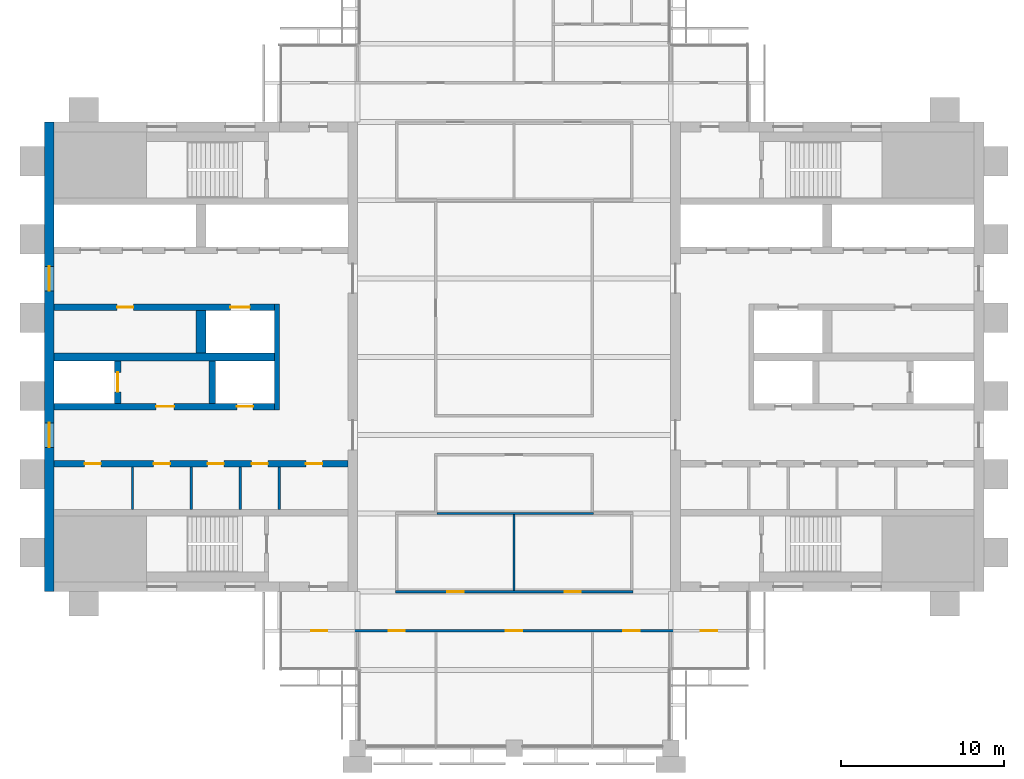
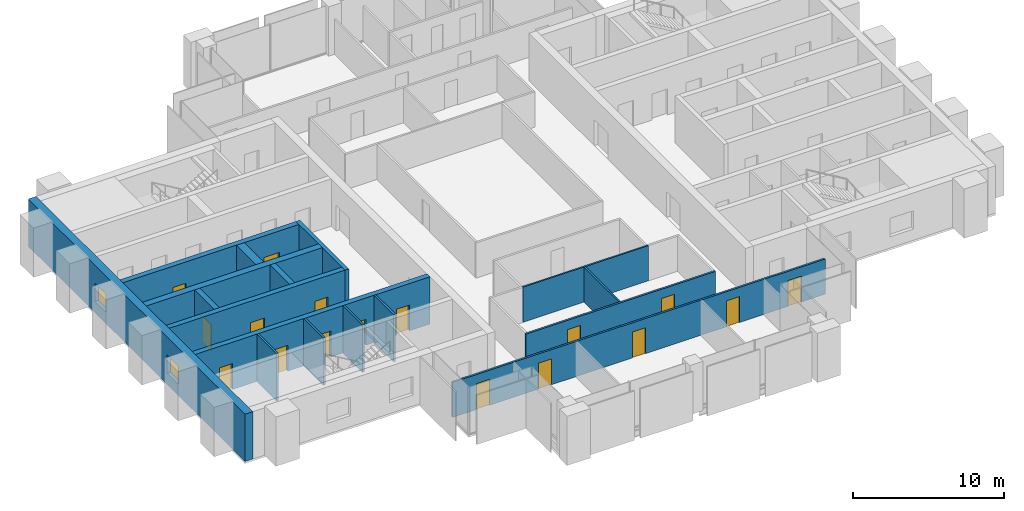
# One storey, part 8 of 13: 17 doors, 17 walls, 2 windows, 19 openings.
"""IFC4 building model written with IfcOpenShell, lengths in metres."""

from ifc_helpers import new_model, si_unit, direction, frame, frame_2d, origin, place, context, subcontext, project, spatial, rectangle, extrude, material, layer, layer_set, type_object, element, fill, save


model = new_model("IFC4")

# Units and contexts
model_context = context("Model", 3, precision=1e-05, world=origin(), true_north=direction((0.0, 1.0)))
body_context = subcontext(model_context, "Body", "Model", "MODEL_VIEW")
ifc_project = project(units=[si_unit("LENGTHUNIT", "METRE"), si_unit("AREAUNIT", "SQUARE_METRE"), si_unit("VOLUMEUNIT", "CUBIC_METRE"), si_unit("PLANEANGLEUNIT", "RADIAN"), si_unit("MASSUNIT", "GRAM", prefix="KILO")], contexts=[model_context])

# Site, building, storey
site_placement = place(None, origin())
site = spatial("IfcSite", under=ifc_project, at=site_placement, CompositionType="ELEMENT")
building_placement = place(site_placement, origin())
building = spatial("IfcBuilding", under=site, at=building_placement, Name="Baori Bourse Tower", CompositionType="ELEMENT")
storey_placement = place(building_placement, frame((0.0, 0.0, 334.300048828125)))
storey = spatial("IfcBuildingStorey", under=building, at=storey_placement, Name="L74", CompositionType="ELEMENT", Elevation=334.300048828125)

# Walls
ifc_material_1 = material(Name="Blockwork partition", Category="masonry")
ifc_layer_1 = layer(ifc_material_1, 0.14990234375)
ifc_layer_set_1 = layer_set([ifc_layer_1], Name="Core partition 150")
wall_type_1 = type_object("IfcWallType", Name="Core partition 150", PredefinedType="PARTITIONING", material=ifc_layer_set_1)
for number, where, z_axis, x_axis, name in (
    (1, (5.39990234375, 14.64990234375, 0.0), (0.0, 0.0, 1.0), (0.0, 1.0, 0.0), "Partition wall W09"),
    (2, (9.0, 14.64990234375, 0.0), (0.0, 0.0, 1.0), (0.0, 1.0, 0.0), "Partition wall W10"),
    (3, (12.0, 14.64990234375, 0.0), (0.0, 0.0, 1.0), (0.0, 1.0, 0.0), "Partition wall W11"),
    (4, (14.39990234375, 14.64990234375, 0.0), (0.0, 0.0, 1.0), (0.0, 1.0, 0.0), "Partition wall W12"),
):
    element("IfcWall", number, at=place(storey_placement, frame(where, z_axis=z_axis, x_axis=x_axis)), inside=storey, type_object=wall_type_1, Name=name, PredefinedType="PARTITIONING", context=body_context, shape_type="SweptSolid", body=[
        extrude(rectangle(XDim=2.60009765625, YDim=0.14990234375, at=frame_2d((1.300048828125, 0.0))), origin(), (0.0, 0.0, 1.0), 3.83984375),
    ])

# Wall, openings, windows
ifc_material_2 = material(Name="Concrete f'c 40 MPa", Category="concrete")
ifc_layer_2 = layer(ifc_material_2, 0.60009765625)
ifc_layer_set_2 = layer_set([ifc_layer_2], Name="Core wall 600 f'c 40")
wall_type_2 = type_object("IfcWallType", Name="Core wall 600 f'c 40", PredefinedType="SHEAR", material=ifc_layer_set_2)
wall_1_placement = place(storey_placement, frame((0.300048828125, 9.60009765625, 0.0), z_axis=(0.0, 0.0, 1.0), x_axis=(0.0, 1.0, 0.0)))
wall_1 = element("IfcWall", 5, at=wall_1_placement, inside=storey, type_object=wall_type_2, Name="Core wall W01", PredefinedType="SHEAR", context=body_context, shape_type="SweptSolid", body=[
    extrude(rectangle(XDim=28.7998046875, YDim=0.60009765625, at=frame_2d((14.39990234375, 0.0))), origin(), (0.0, 0.0, 1.0), 3.83984375),
])
opening_1_placement = place(wall_1_placement, frame((8.85009765625, 0.0, 0.89990234375)))
opening_1 = element("IfcOpeningElement", 6, at=opening_1_placement, cuts=wall_1, Name="Opening L74-KW101", PredefinedType="OPENING", context=body_context, shape_type="SweptSolid", body=[
    extrude(rectangle(XDim=1.5, YDim=1.5, at=frame_2d((0.75, 0.75))), frame((0.0, 0.31005859375, 0.0), z_axis=(0.0, -1.0, 0.0), x_axis=(1.0, 0.0, 0.0)), (0.0, 0.0, 1.0), 0.6201171875),
])
opening_2_placement = place(wall_1_placement, frame((18.449951171875, 0.0, 0.89990234375)))
opening_2 = element("IfcOpeningElement", 7, at=opening_2_placement, cuts=wall_1, Name="Opening L74-KW102", PredefinedType="OPENING", context=body_context, shape_type="SweptSolid", body=[
    extrude(rectangle(XDim=1.5, YDim=1.5, at=frame_2d((0.75, 0.75))), frame((0.0, 0.31005859375, 0.0), z_axis=(0.0, -1.0, 0.0), x_axis=(1.0, 0.0, 0.0)), (0.0, 0.0, 1.0), 0.6201171875),
])
ifc_material_3 = material(Name="Pale anodised aluminium", Category="aluminium")
window_type = type_object("IfcWindowType", Name="Lobby window 1500 x 1500", PartitioningType="SINGLE_PANEL", PredefinedType="WINDOW", material=ifc_material_3)
window_1_placement = place(opening_1_placement, origin())
window_1 = element("IfcWindow", 8, at=window_1_placement, inside=storey, type_object=window_type, Name="Outer wall window W L74 1", OverallHeight=1.5, OverallWidth=1.5, PartitioningType="SINGLE_PANEL", PredefinedType="WINDOW", context=body_context, shape_type="SweptSolid", body=[
    extrude(rectangle(XDim=1.5, YDim=1.5, at=frame_2d((0.75, 0.75))), frame((0.0, 0.030029296875, 0.0), z_axis=(0.0, -1.0, 0.0), x_axis=(1.0, 0.0, 0.0)), (0.0, 0.0, 1.0), 0.06005859375),
])
fill(opening_1, window_1)
window_2_placement = place(opening_2_placement, origin())
window_2 = element("IfcWindow", 9, at=window_2_placement, inside=storey, type_object=window_type, Name="Outer wall window W L74 2", OverallHeight=1.5, OverallWidth=1.5, PartitioningType="SINGLE_PANEL", PredefinedType="WINDOW", context=body_context, shape_type="SweptSolid", body=[
    extrude(rectangle(XDim=1.5, YDim=1.5, at=frame_2d((0.75, 0.75))), frame((0.0, 0.030029296875, 0.0), z_axis=(0.0, -1.0, 0.0), x_axis=(1.0, 0.0, 0.0)), (0.0, 0.0, 1.0), 0.06005859375),
])
fill(opening_2, window_2)

# Wall, openings, doors
ifc_material_4 = material(Name="Gypsum board partition")
ifc_layer_3 = layer(ifc_material_4, 0.14990234375)
ifc_layer_set_3 = layer_set([ifc_layer_3], Name="Corridor partition 150")
wall_type_3 = type_object("IfcWallType", Name="Corridor partition 150", PredefinedType="PARTITIONING", material=ifc_layer_set_3)
wall_2_placement = place(storey_placement, frame((14.5, 7.199951171875, 0.0), z_axis=(0.0, 0.0, 1.0), x_axis=(1.0, 0.0, 0.0)))
wall_2 = element("IfcWall", 10, at=wall_2_placement, inside=storey, type_object=wall_type_3, Name="Partition", PredefinedType="PARTITIONING", context=body_context, shape_type="SweptSolid", body=[
    extrude(rectangle(XDim=28.60009765625, YDim=0.14990234375, at=frame_2d((14.300048828125, 0.0))), origin(), (0.0, 0.0, 1.0), 2.849365234375),
])
opening_3_placement = place(wall_2_placement, frame((1.85009765625, 0.0, 0.0)))
opening_3 = element("IfcOpeningElement", 11, at=opening_3_placement, cuts=wall_2, Name="Opening L74-D01", PredefinedType="OPENING", context=body_context, shape_type="SweptSolid", body=[
    extrude(rectangle(XDim=1.0, YDim=2.10009765625, at=frame_2d((0.5, 1.050048828125))), frame((0.0, 0.0849609375, 0.0), z_axis=(0.0, -1.0, 0.0), x_axis=(1.0, 0.0, 0.0)), (0.0, 0.0, 1.0), 0.169921875),
])
opening_4_placement = place(wall_2_placement, frame((6.60009765625, 0.0, 0.0)))
opening_4 = element("IfcOpeningElement", 12, at=opening_4_placement, cuts=wall_2, Name="Opening L74-D02", PredefinedType="OPENING", context=body_context, shape_type="SweptSolid", body=[
    extrude(rectangle(XDim=1.0, YDim=2.10009765625, at=frame_2d((0.5, 1.050048828125))), frame((0.0, 0.0849609375, 0.0), z_axis=(0.0, -1.0, 0.0), x_axis=(1.0, 0.0, 0.0)), (0.0, 0.0, 1.0), 0.169921875),
])
opening_5_placement = place(wall_2_placement, frame((13.800048828125, 0.0, 0.0)))
opening_5 = element("IfcOpeningElement", 13, at=opening_5_placement, cuts=wall_2, Name="Opening L74-D03", PredefinedType="OPENING", context=body_context, shape_type="SweptSolid", body=[
    extrude(rectangle(XDim=1.0, YDim=2.10009765625, at=frame_2d((0.5, 1.050048828125))), frame((0.0, 0.0849609375, 0.0), z_axis=(0.0, -1.0, 0.0), x_axis=(1.0, 0.0, 0.0)), (0.0, 0.0, 1.0), 0.169921875),
])
opening_6_placement = place(wall_2_placement, frame((21.0, 0.0, 0.0)))
opening_6 = element("IfcOpeningElement", 14, at=opening_6_placement, cuts=wall_2, Name="Opening L74-D04", PredefinedType="OPENING", context=body_context, shape_type="SweptSolid", body=[
    extrude(rectangle(XDim=1.0, YDim=2.10009765625, at=frame_2d((0.5, 1.050048828125))), frame((0.0, 0.0849609375, 0.0), z_axis=(0.0, -1.0, 0.0), x_axis=(1.0, 0.0, 0.0)), (0.0, 0.0, 1.0), 0.169921875),
])
opening_7_placement = place(wall_2_placement, frame((25.75, 0.0, 0.0)))
opening_7 = element("IfcOpeningElement", 15, at=opening_7_placement, cuts=wall_2, Name="Opening L74-D05", PredefinedType="OPENING", context=body_context, shape_type="SweptSolid", body=[
    extrude(rectangle(XDim=1.0, YDim=2.10009765625, at=frame_2d((0.5, 1.050048828125))), frame((0.0, 0.0849609375, 0.0), z_axis=(0.0, -1.0, 0.0), x_axis=(1.0, 0.0, 0.0)), (0.0, 0.0, 1.0), 0.169921875),
])
ifc_material_5 = material(Name="Timber door leaf", Category="wood")
door_type_1 = type_object("IfcDoorType", Name="Door 1000 x 2100", OperationType="SINGLE_SWING_LEFT", PredefinedType="DOOR", material=ifc_material_5)
door_1_placement = place(opening_3_placement, origin())
door_1 = element("IfcDoor", 16, at=door_1_placement, inside=storey, type_object=door_type_1, Name="Door", OperationType="SINGLE_SWING_LEFT", OverallHeight=2.10009765625, OverallWidth=1.0, PredefinedType="DOOR", context=body_context, shape_type="SweptSolid", body=[
    extrude(rectangle(XDim=1.0, YDim=2.10009765625, at=frame_2d((0.5, 1.050048828125))), frame((0.0, 0.02490234375, 0.0), z_axis=(0.0, -1.0, 0.0), x_axis=(1.0, 0.0, 0.0)), (0.0, 0.0, 1.0), 0.050048828125),
])
fill(opening_3, door_1)
door_2_placement = place(opening_4_placement, origin())
door_2 = element("IfcDoor", 17, at=door_2_placement, inside=storey, type_object=door_type_1, Name="Door", OperationType="SINGLE_SWING_LEFT", OverallHeight=2.10009765625, OverallWidth=1.0, PredefinedType="DOOR", context=body_context, shape_type="SweptSolid", body=[
    extrude(rectangle(XDim=1.0, YDim=2.10009765625, at=frame_2d((0.5, 1.050048828125))), frame((0.0, 0.02490234375, 0.0), z_axis=(0.0, -1.0, 0.0), x_axis=(1.0, 0.0, 0.0)), (0.0, 0.0, 1.0), 0.050048828125),
])
fill(opening_4, door_2)
door_3_placement = place(opening_5_placement, origin())
door_3 = element("IfcDoor", 18, at=door_3_placement, inside=storey, type_object=door_type_1, Name="Door", OperationType="SINGLE_SWING_LEFT", OverallHeight=2.10009765625, OverallWidth=1.0, PredefinedType="DOOR", context=body_context, shape_type="SweptSolid", body=[
    extrude(rectangle(XDim=1.0, YDim=2.10009765625, at=frame_2d((0.5, 1.050048828125))), frame((0.0, 0.02490234375, 0.0), z_axis=(0.0, -1.0, 0.0), x_axis=(1.0, 0.0, 0.0)), (0.0, 0.0, 1.0), 0.050048828125),
])
fill(opening_5, door_3)
door_4_placement = place(opening_6_placement, origin())
door_4 = element("IfcDoor", 19, at=door_4_placement, inside=storey, type_object=door_type_1, Name="Door", OperationType="SINGLE_SWING_RIGHT", OverallHeight=2.10009765625, OverallWidth=1.0, PredefinedType="DOOR", context=body_context, shape_type="SweptSolid", body=[
    extrude(rectangle(XDim=1.0, YDim=2.10009765625, at=frame_2d((0.5, 1.050048828125))), frame((0.0, 0.02490234375, 0.0), z_axis=(0.0, -1.0, 0.0), x_axis=(1.0, 0.0, 0.0)), (0.0, 0.0, 1.0), 0.050048828125),
])
fill(opening_6, door_4)
door_5_placement = place(opening_7_placement, origin())
door_5 = element("IfcDoor", 20, at=door_5_placement, inside=storey, type_object=door_type_1, Name="Door", OperationType="SINGLE_SWING_RIGHT", OverallHeight=2.10009765625, OverallWidth=1.0, PredefinedType="DOOR", context=body_context, shape_type="SweptSolid", body=[
    extrude(rectangle(XDim=1.0, YDim=2.10009765625, at=frame_2d((0.5, 1.050048828125))), frame((0.0, 0.02490234375, 0.0), z_axis=(0.0, -1.0, 0.0), x_axis=(1.0, 0.0, 0.0)), (0.0, 0.0, 1.0), 0.050048828125),
])
fill(opening_7, door_5)

wall_3_placement = place(storey_placement, frame((21.52490234375, 9.60009765625, 0.0), z_axis=(0.0, 0.0, 1.0), x_axis=(1.0, 0.0, 0.0)))
wall_3 = element("IfcWall", 21, at=wall_3_placement, inside=storey, type_object=wall_type_3, Name="Partition", PredefinedType="PARTITIONING", context=body_context, shape_type="SweptSolid", body=[
    extrude(rectangle(XDim=14.550048828125, YDim=0.14990234375, at=frame_2d((7.27490234375, 0.0))), origin(), (0.0, 0.0, 1.0), 2.849365234375),
])
opening_8_placement = place(wall_3_placement, frame((3.175048828125, 0.0, 0.0)))
opening_8 = element("IfcOpeningElement", 22, at=opening_8_placement, cuts=wall_3, Name="Opening L74-D06", PredefinedType="OPENING", context=body_context, shape_type="SweptSolid", body=[
    extrude(rectangle(XDim=1.0, YDim=2.10009765625, at=frame_2d((0.5, 1.050048828125))), frame((0.0, 0.0849609375, 0.0), z_axis=(0.0, -1.0, 0.0), x_axis=(1.0, 0.0, 0.0)), (0.0, 0.0, 1.0), 0.169921875),
])
opening_9_placement = place(wall_3_placement, frame((10.375, 0.0, 0.0)))
opening_9 = element("IfcOpeningElement", 23, at=opening_9_placement, cuts=wall_3, Name="Opening L74-D07", PredefinedType="OPENING", context=body_context, shape_type="SweptSolid", body=[
    extrude(rectangle(XDim=1.0, YDim=2.10009765625, at=frame_2d((0.5, 1.050048828125))), frame((0.0, 0.0849609375, 0.0), z_axis=(0.0, -1.0, 0.0), x_axis=(1.0, 0.0, 0.0)), (0.0, 0.0, 1.0), 0.169921875),
])
door_6_placement = place(opening_8_placement, origin())
door_6 = element("IfcDoor", 24, at=door_6_placement, inside=storey, type_object=door_type_1, Name="Door", OperationType="SINGLE_SWING_RIGHT", OverallHeight=2.10009765625, OverallWidth=1.0, PredefinedType="DOOR", context=body_context, shape_type="SweptSolid", body=[
    extrude(rectangle(XDim=1.0, YDim=2.10009765625, at=frame_2d((0.5, 1.050048828125))), frame((0.0, 0.02490234375, 0.0), z_axis=(0.0, -1.0, 0.0), x_axis=(1.0, 0.0, 0.0)), (0.0, 0.0, 1.0), 0.050048828125),
])
fill(opening_8, door_6)
door_7_placement = place(opening_9_placement, origin())
door_7 = element("IfcDoor", 25, at=door_7_placement, inside=storey, type_object=door_type_1, Name="Door", OperationType="SINGLE_SWING_LEFT", OverallHeight=2.10009765625, OverallWidth=1.0, PredefinedType="DOOR", context=body_context, shape_type="SweptSolid", body=[
    extrude(rectangle(XDim=1.0, YDim=2.10009765625, at=frame_2d((0.5, 1.050048828125))), frame((0.0, 0.02490234375, 0.0), z_axis=(0.0, -1.0, 0.0), x_axis=(1.0, 0.0, 0.0)), (0.0, 0.0, 1.0), 0.050048828125),
])
fill(opening_9, door_7)

# Walls
ifc_material_6 = material(Name="Gypsum board partition")
ifc_layer_4 = layer(ifc_material_6, 0.125)
ifc_layer_set_4 = layer_set([ifc_layer_4], Name="Partition 125")
wall_type_4 = type_object("IfcWallType", Name="Partition 125", PredefinedType="PARTITIONING", material=ifc_layer_set_4)
wall_4_placement = place(storey_placement, frame((24.074951171875, 14.39990234375, 0.0), z_axis=(0.0, 0.0, 1.0), x_axis=(1.0, 0.0, 0.0)))
element("IfcWall", 26, at=wall_4_placement, inside=storey, type_object=wall_type_4, Name="Partition", PredefinedType="PARTITIONING", context=body_context, shape_type="SweptSolid", body=[
    extrude(rectangle(XDim=9.60009765625, YDim=0.125, at=frame_2d((4.800048828125, 0.0))), origin(), (0.0, 0.0, 1.0), 2.849365234375),
])
wall_5_placement = place(storey_placement, frame((28.800048828125, 9.675048828125, 0.0), z_axis=(0.0, 0.0, 1.0), x_axis=(0.0, 1.0, 0.0)))
element("IfcWall", 27, at=wall_5_placement, inside=storey, type_object=wall_type_4, Name="Partition", PredefinedType="PARTITIONING", context=body_context, shape_type="SweptSolid", body=[
    extrude(rectangle(XDim=4.662353515625, YDim=0.125, at=frame_2d((2.3310546875, 0.0))), origin(), (0.0, 0.0, 1.0), 2.849365234375),
])
ifc_material_7 = material(Name="Concrete f'c 40 MPa", Category="concrete")
ifc_layer_5 = layer(ifc_material_7, 0.300048828125)
ifc_layer_set_5 = layer_set([ifc_layer_5], Name="Shaft wall 300 f'c 40")
wall_type_5 = type_object("IfcWallType", Name="Shaft wall 300 f'c 40", PredefinedType="SHEAR", material=ifc_layer_set_5)
wall_6_placement = place(storey_placement, frame((14.25, 20.75, 0.0), z_axis=(0.0, 0.0, 1.0), x_axis=(0.0, 1.0, 0.0)))
element("IfcWall", 28, at=wall_6_placement, inside=storey, type_object=wall_type_5, Name="Core wall W15", PredefinedType="SHEAR", context=body_context, shape_type="SweptSolid", body=[
    extrude(rectangle(XDim=6.5, YDim=0.300048828125, at=frame_2d((3.25, 0.0))), origin(), (0.0, 0.0, 1.0), 3.83984375),
])

# Wall, openings, doors
ifc_material_8 = material(Name="Concrete f'c 40 MPa", Category="concrete")
ifc_layer_6 = layer(ifc_material_8, 0.39990234375)
ifc_layer_set_6 = layer_set([ifc_layer_6], Name="Shaft wall 400 f'c 40")
wall_type_6 = type_object("IfcWallType", Name="Shaft wall 400 f'c 40", PredefinedType="SHEAR", material=ifc_layer_set_6)
wall_7_placement = place(storey_placement, frame((0.60009765625, 17.449951171875, 0.0), z_axis=(0.0, 0.0, 1.0), x_axis=(1.0, 0.0, 0.0)))
wall_7 = element("IfcWall", 29, at=wall_7_placement, inside=storey, type_object=wall_type_6, Name="Core wall W13", PredefinedType="SHEAR", context=body_context, shape_type="SweptSolid", body=[
    extrude(rectangle(XDim=18.0, YDim=0.39990234375, at=frame_2d((9.0, 0.0))), origin(), (0.0, 0.0, 1.0), 3.83984375),
])
opening_10_placement = place(wall_7_placement, frame((1.862548828125, 0.0, 0.0)))
opening_10 = element("IfcOpeningElement", 30, at=opening_10_placement, cuts=wall_7, Name="Opening L74-D109", PredefinedType="OPENING", context=body_context, shape_type="SweptSolid", body=[
    extrude(rectangle(XDim=1.0, YDim=2.10009765625, at=frame_2d((0.5, 1.050048828125))), frame((0.0, 0.2099609375, 0.0), z_axis=(0.0, -1.0, 0.0), x_axis=(1.0, 0.0, 0.0)), (0.0, 0.0, 1.0), 0.419921875),
])
opening_11_placement = place(wall_7_placement, frame((6.10009765625, 0.0, 0.0)))
opening_11 = element("IfcOpeningElement", 31, at=opening_11_placement, cuts=wall_7, Name="Opening L74-D110", PredefinedType="OPENING", context=body_context, shape_type="SweptSolid", body=[
    extrude(rectangle(XDim=1.0, YDim=2.10009765625, at=frame_2d((0.5, 1.050048828125))), frame((0.0, 0.2099609375, 0.0), z_axis=(0.0, -1.0, 0.0), x_axis=(1.0, 0.0, 0.0)), (0.0, 0.0, 1.0), 0.419921875),
])
opening_12_placement = place(wall_7_placement, frame((9.39990234375, 0.0, 0.0)))
opening_12 = element("IfcOpeningElement", 32, at=opening_12_placement, cuts=wall_7, Name="Opening L74-D111", PredefinedType="OPENING", context=body_context, shape_type="SweptSolid", body=[
    extrude(rectangle(XDim=1.0, YDim=2.10009765625, at=frame_2d((0.5, 1.050048828125))), frame((0.0, 0.2099609375, 0.0), z_axis=(0.0, -1.0, 0.0), x_axis=(1.0, 0.0, 0.0)), (0.0, 0.0, 1.0), 0.419921875),
])
opening_13_placement = place(wall_7_placement, frame((12.10009765625, 0.0, 0.0)))
opening_13 = element("IfcOpeningElement", 33, at=opening_13_placement, cuts=wall_7, Name="Opening L74-D112", PredefinedType="OPENING", context=body_context, shape_type="SweptSolid", body=[
    extrude(rectangle(XDim=1.0, YDim=2.10009765625, at=frame_2d((0.5, 1.050048828125))), frame((0.0, 0.2099609375, 0.0), z_axis=(0.0, -1.0, 0.0), x_axis=(1.0, 0.0, 0.0)), (0.0, 0.0, 1.0), 0.419921875),
])
opening_14_placement = place(wall_7_placement, frame((15.4375, 0.0, 0.0)))
opening_14 = element("IfcOpeningElement", 34, at=opening_14_placement, cuts=wall_7, Name="Opening L74-D113", PredefinedType="OPENING", context=body_context, shape_type="SweptSolid", body=[
    extrude(rectangle(XDim=1.0, YDim=2.10009765625, at=frame_2d((0.5, 1.050048828125))), frame((0.0, 0.2099609375, 0.0), z_axis=(0.0, -1.0, 0.0), x_axis=(1.0, 0.0, 0.0)), (0.0, 0.0, 1.0), 0.419921875),
])
ifc_material_9 = material(Name="Painted steel door", Category="steel")
door_type_2 = type_object("IfcDoorType", Name="Core door 1000", OperationType="SINGLE_SWING_LEFT", PredefinedType="DOOR", material=ifc_material_9)
door_8_placement = place(opening_10_placement, origin())
door_8 = element("IfcDoor", 35, at=door_8_placement, inside=storey, type_object=door_type_2, Name="Men'S Wc door W L74", OperationType="SINGLE_SWING_LEFT", OverallHeight=2.10009765625, OverallWidth=1.0, PredefinedType="DOOR", context=body_context, shape_type="SweptSolid", body=[
    extrude(rectangle(XDim=1.0, YDim=2.10009765625, at=frame_2d((0.5, 1.050048828125))), frame((0.0, 0.02490234375, 0.0), z_axis=(0.0, -1.0, 0.0), x_axis=(1.0, 0.0, 0.0)), (0.0, 0.0, 1.0), 0.050048828125),
])
fill(opening_10, door_8)
door_9_placement = place(opening_11_placement, origin())
door_9 = element("IfcDoor", 36, at=door_9_placement, inside=storey, type_object=door_type_2, Name="Women'S Wc door W L74", OperationType="SINGLE_SWING_LEFT", OverallHeight=2.10009765625, OverallWidth=1.0, PredefinedType="DOOR", context=body_context, shape_type="SweptSolid", body=[
    extrude(rectangle(XDim=1.0, YDim=2.10009765625, at=frame_2d((0.5, 1.050048828125))), frame((0.0, 0.02490234375, 0.0), z_axis=(0.0, -1.0, 0.0), x_axis=(1.0, 0.0, 0.0)), (0.0, 0.0, 1.0), 0.050048828125),
])
fill(opening_11, door_9)
door_10_placement = place(opening_13_placement, origin())
door_10 = element("IfcDoor", 37, at=door_10_placement, inside=storey, type_object=door_type_2, Name="Pantry door W L74", OperationType="SINGLE_SWING_LEFT", OverallHeight=2.10009765625, OverallWidth=1.0, PredefinedType="DOOR", context=body_context, shape_type="SweptSolid", body=[
    extrude(rectangle(XDim=1.0, YDim=2.10009765625, at=frame_2d((0.5, 1.050048828125))), frame((0.0, 0.02490234375, 0.0), z_axis=(0.0, -1.0, 0.0), x_axis=(1.0, 0.0, 0.0)), (0.0, 0.0, 1.0), 0.050048828125),
])
fill(opening_13, door_10)
door_11_placement = place(opening_14_placement, origin())
door_11 = element("IfcDoor", 38, at=door_11_placement, inside=storey, type_object=door_type_2, Name="Accessible Wc door W L74", OperationType="SINGLE_SWING_LEFT", OverallHeight=2.10009765625, OverallWidth=1.0, PredefinedType="DOOR", context=body_context, shape_type="SweptSolid", body=[
    extrude(rectangle(XDim=1.0, YDim=2.10009765625, at=frame_2d((0.5, 1.050048828125))), frame((0.0, 0.02490234375, 0.0), z_axis=(0.0, -1.0, 0.0), x_axis=(1.0, 0.0, 0.0)), (0.0, 0.0, 1.0), 0.050048828125),
])
fill(opening_14, door_11)
ifc_material_10 = material(Name="Painted steel door", Category="steel")
door_type_3 = type_object("IfcDoorType", Name="Plant room door 1000", OperationType="SINGLE_SWING_LEFT", PredefinedType="DOOR", material=ifc_material_10)
door_12_placement = place(opening_12_placement, origin())
door_12 = element("IfcDoor", 39, at=door_12_placement, inside=storey, type_object=door_type_3, Name="Electrical Room door W L74", OperationType="SINGLE_SWING_LEFT", OverallHeight=2.10009765625, OverallWidth=1.0, PredefinedType="DOOR", context=body_context, shape_type="SweptSolid", body=[
    extrude(rectangle(XDim=1.0, YDim=2.10009765625, at=frame_2d((0.5, 1.050048828125))), frame((0.0, 0.02490234375, 0.0), z_axis=(0.0, -1.0, 0.0), x_axis=(1.0, 0.0, 0.0)), (0.0, 0.0, 1.0), 0.050048828125),
])
fill(opening_12, door_12)

wall_8_placement = place(storey_placement, frame((0.60009765625, 20.949951171875, 0.0), z_axis=(0.0, 0.0, 1.0), x_axis=(1.0, 0.0, 0.0)))
wall_8 = element("IfcWall", 40, at=wall_8_placement, inside=storey, type_object=wall_type_6, Name="Core wall W14", PredefinedType="SHEAR", context=body_context, shape_type="SweptSolid", body=[
    extrude(rectangle(XDim=13.5, YDim=0.39990234375, at=frame_2d((6.75, 0.0))), origin(), (0.0, 0.0, 1.0), 3.83984375),
])
opening_15_placement = place(wall_8_placement, frame((6.25, 0.0, 0.0)))
opening_15 = element("IfcOpeningElement", 41, at=opening_15_placement, cuts=wall_8, Name="Opening L74-D105", PredefinedType="OPENING", context=body_context, shape_type="SweptSolid", body=[
    extrude(rectangle(XDim=1.10009765625, YDim=2.10009765625, at=frame_2d((0.550048828125, 1.050048828125))), frame((0.0, 0.2099609375, 0.0), z_axis=(0.0, -1.0, 0.0), x_axis=(1.0, 0.0, 0.0)), (0.0, 0.0, 1.0), 0.419921875),
])
opening_16_placement = place(wall_8_placement, frame((11.199951171875, 0.0, 0.0)))
opening_16 = element("IfcOpeningElement", 42, at=opening_16_placement, cuts=wall_8, Name="Opening L74-D106", PredefinedType="OPENING", context=body_context, shape_type="SweptSolid", body=[
    extrude(rectangle(XDim=1.0, YDim=2.10009765625, at=frame_2d((0.5, 1.050048828125))), frame((0.0, 0.2099609375, 0.0), z_axis=(0.0, -1.0, 0.0), x_axis=(1.0, 0.0, 0.0)), (0.0, 0.0, 1.0), 0.419921875),
])
ifc_material_11 = material(Name="Painted steel door", Category="steel")
door_type_4 = type_object("IfcDoorType", Name="Lobby door 1100", OperationType="SINGLE_SWING_LEFT", PredefinedType="DOOR", material=ifc_material_11)
door_13_placement = place(opening_15_placement, origin())
door_13 = element("IfcDoor", 43, at=door_13_placement, inside=storey, type_object=door_type_4, Name="Firefighting lobby door W L74", OperationType="SINGLE_SWING_LEFT", OverallHeight=2.10009765625, OverallWidth=1.10009765625, PredefinedType="DOOR", context=body_context, shape_type="SweptSolid", body=[
    extrude(rectangle(XDim=1.10009765625, YDim=2.10009765625, at=frame_2d((0.550048828125, 1.050048828125))), frame((0.0, 0.02490234375, 0.0), z_axis=(0.0, -1.0, 0.0), x_axis=(1.0, 0.0, 0.0)), (0.0, 0.0, 1.0), 0.050048828125),
])
fill(opening_15, door_13)
ifc_material_12 = material(Name="Painted steel door", Category="steel")
door_type_5 = type_object("IfcDoorType", Name="Shaft door 1000", OperationType="SINGLE_SWING_LEFT", PredefinedType="DOOR", material=ifc_material_12)
door_14_placement = place(opening_16_placement, origin())
door_14 = element("IfcDoor", 44, at=door_14_placement, inside=storey, type_object=door_type_5, Name="Riser room door W L74", OperationType="SINGLE_SWING_LEFT", OverallHeight=2.10009765625, OverallWidth=1.0, PredefinedType="DOOR", context=body_context, shape_type="SweptSolid", body=[
    extrude(rectangle(XDim=1.0, YDim=2.10009765625, at=frame_2d((0.5, 1.050048828125))), frame((0.0, 0.02490234375, 0.0), z_axis=(0.0, -1.0, 0.0), x_axis=(1.0, 0.0, 0.0)), (0.0, 0.0, 1.0), 0.050048828125),
])
fill(opening_16, door_14)

# Wall, opening, door
wall_9_placement = place(storey_placement, frame((4.5, 21.14990234375, 0.0), z_axis=(0.0, 0.0, 1.0), x_axis=(0.0, 1.0, 0.0)))
wall_9 = element("IfcWall", 45, at=wall_9_placement, inside=storey, type_object=wall_type_6, Name="Core wall W16", PredefinedType="SHEAR", context=body_context, shape_type="SweptSolid", body=[
    extrude(rectangle(XDim=2.60009765625, YDim=0.39990234375, at=frame_2d((1.300048828125, 0.0))), origin(), (0.0, 0.0, 1.0), 3.83984375),
])
opening_17_placement = place(wall_9_placement, frame((0.699951171875, 0.0, 0.0)))
opening_17 = element("IfcOpeningElement", 46, at=opening_17_placement, cuts=wall_9, Name="Opening L74-D122", PredefinedType="OPENING", context=body_context, shape_type="SweptSolid", body=[
    extrude(rectangle(XDim=1.199951171875, YDim=2.10009765625, at=frame_2d((0.60009765625, 1.050048828125))), frame((0.0, 0.2099609375, 0.0), z_axis=(0.0, -1.0, 0.0), x_axis=(1.0, 0.0, 0.0)), (0.0, 0.0, 1.0), 0.419921875),
])
ifc_material_13 = material(Name="Stainless steel door", Category="steel")
door_type_6 = type_object("IfcDoorType", Name="Lift landing door", OperationType="DOUBLE_DOOR_SLIDING", PredefinedType="DOOR", material=ifc_material_13)
door_15_placement = place(opening_17_placement, origin())
door_15 = element("IfcDoor", 47, at=door_15_placement, inside=storey, type_object=door_type_6, Name="Lift landing door FF1 W L74", OperationType="DOUBLE_DOOR_SLIDING", OverallHeight=2.10009765625, OverallWidth=1.199951171875, PredefinedType="DOOR", context=body_context, shape_type="SweptSolid", body=[
    extrude(rectangle(XDim=1.199951171875, YDim=2.10009765625, at=frame_2d((0.60009765625, 1.050048828125))), frame((0.0, 0.02490234375, 0.0), z_axis=(0.0, -1.0, 0.0), x_axis=(1.0, 0.0, 0.0)), (0.0, 0.0, 1.0), 0.050048828125),
])
fill(opening_17, door_15)

# Wall
wall_10_placement = place(storey_placement, frame((10.300048828125, 21.14990234375, 0.0), z_axis=(0.0, 0.0, 1.0), x_axis=(0.0, 1.0, 0.0)))
element("IfcWall", 48, at=wall_10_placement, inside=storey, type_object=wall_type_6, Name="Core wall W17", PredefinedType="SHEAR", context=body_context, shape_type="SweptSolid", body=[
    extrude(rectangle(XDim=2.60009765625, YDim=0.39990234375, at=frame_2d((1.300048828125, 0.0))), origin(), (0.0, 0.0, 1.0), 3.83984375),
])

# Wall, openings, doors
wall_11_placement = place(storey_placement, frame((0.60009765625, 27.050048828125, 0.0), z_axis=(0.0, 0.0, 1.0), x_axis=(1.0, 0.0, 0.0)))
wall_11 = element("IfcWall", 49, at=wall_11_placement, inside=storey, type_object=wall_type_6, Name="Core wall W20", PredefinedType="SHEAR", context=body_context, shape_type="SweptSolid", body=[
    extrude(rectangle(XDim=13.5, YDim=0.39990234375, at=frame_2d((6.75, 0.0))), origin(), (0.0, 0.0, 1.0), 3.83984375),
])
opening_18_placement = place(wall_11_placement, frame((3.85009765625, 0.0, 0.0)))
opening_18 = element("IfcOpeningElement", 50, at=opening_18_placement, cuts=wall_11, Name="Opening L74-D114", PredefinedType="OPENING", context=body_context, shape_type="SweptSolid", body=[
    extrude(rectangle(XDim=1.0, YDim=2.10009765625, at=frame_2d((0.5, 1.050048828125))), frame((0.0, 0.2099609375, 0.0), z_axis=(0.0, -1.0, 0.0), x_axis=(1.0, 0.0, 0.0)), (0.0, 0.0, 1.0), 0.419921875),
])
opening_19_placement = place(wall_11_placement, frame((10.800048828125, 0.0, 0.0)))
opening_19 = element("IfcOpeningElement", 51, at=opening_19_placement, cuts=wall_11, Name="Opening L74-D121", PredefinedType="OPENING", context=body_context, shape_type="SweptSolid", body=[
    extrude(rectangle(XDim=1.199951171875, YDim=2.10009765625, at=frame_2d((0.60009765625, 1.050048828125))), frame((0.0, 0.2099609375, 0.0), z_axis=(0.0, -1.0, 0.0), x_axis=(1.0, 0.0, 0.0)), (0.0, 0.0, 1.0), 0.419921875),
])
door_16_placement = place(opening_18_placement, origin())
door_16 = element("IfcDoor", 52, at=door_16_placement, inside=storey, type_object=door_type_2, Name="Recycling Room door W L74", OperationType="SINGLE_SWING_LEFT", OverallHeight=2.10009765625, OverallWidth=1.0, PredefinedType="DOOR", context=body_context, shape_type="SweptSolid", body=[
    extrude(rectangle(XDim=1.0, YDim=2.10009765625, at=frame_2d((0.5, 1.050048828125))), frame((0.0, 0.02490234375, 0.0), z_axis=(0.0, -1.0, 0.0), x_axis=(1.0, 0.0, 0.0)), (0.0, 0.0, 1.0), 0.050048828125),
])
fill(opening_18, door_16)
door_17_placement = place(opening_19_placement, origin())
door_17 = element("IfcDoor", 53, at=door_17_placement, inside=storey, type_object=door_type_6, Name="Lift landing door SV1 W L74", OperationType="DOUBLE_DOOR_SLIDING", OverallHeight=2.10009765625, OverallWidth=1.199951171875, PredefinedType="DOOR", context=body_context, shape_type="SweptSolid", body=[
    extrude(rectangle(XDim=1.199951171875, YDim=2.10009765625, at=frame_2d((0.60009765625, 1.050048828125))), frame((0.0, 0.02490234375, 0.0), z_axis=(0.0, -1.0, 0.0), x_axis=(1.0, 0.0, 0.0)), (0.0, 0.0, 1.0), 0.050048828125),
])
fill(opening_19, door_17)

# Walls
ifc_material_14 = material(Name="Concrete f'c 40 MPa", Category="concrete")
ifc_layer_7 = layer(ifc_material_14, 0.5)
ifc_layer_set_7 = layer_set([ifc_layer_7], Name="Shaft wall 500 f'c 40")
wall_type_7 = type_object("IfcWallType", Name="Shaft wall 500 f'c 40", PredefinedType="SHEAR", material=ifc_layer_set_7)
wall_12_placement = place(storey_placement, frame((0.60009765625, 24.0, 0.0), z_axis=(0.0, 0.0, 1.0), x_axis=(1.0, 0.0, 0.0)))
element("IfcWall", 54, at=wall_12_placement, inside=storey, type_object=wall_type_7, Name="Core wall W18", PredefinedType="SHEAR", context=body_context, shape_type="SweptSolid", body=[
    extrude(rectangle(XDim=13.5, YDim=0.5, at=frame_2d((6.75, 0.0))), origin(), (0.0, 0.0, 1.0), 3.83984375),
])
ifc_material_15 = material(Name="Concrete f'c 40 MPa", Category="concrete")
ifc_layer_8 = layer(ifc_material_15, 0.60009765625)
ifc_layer_set_8 = layer_set([ifc_layer_8], Name="Shaft wall 600 f'c 40")
wall_type_8 = type_object("IfcWallType", Name="Shaft wall 600 f'c 40", PredefinedType="SHEAR", material=ifc_layer_set_8)
wall_13_placement = place(storey_placement, frame((9.60009765625, 24.25, 0.0), z_axis=(0.0, 0.0, 1.0), x_axis=(0.0, 1.0, 0.0)))
element("IfcWall", 55, at=wall_13_placement, inside=storey, type_object=wall_type_8, Name="Core wall W19", PredefinedType="SHEAR", context=body_context, shape_type="SweptSolid", body=[
    extrude(rectangle(XDim=2.60009765625, YDim=0.60009765625, at=frame_2d((1.300048828125, 0.0))), origin(), (0.0, 0.0, 1.0), 3.83984375),
])

save(model, "model.ifc")
